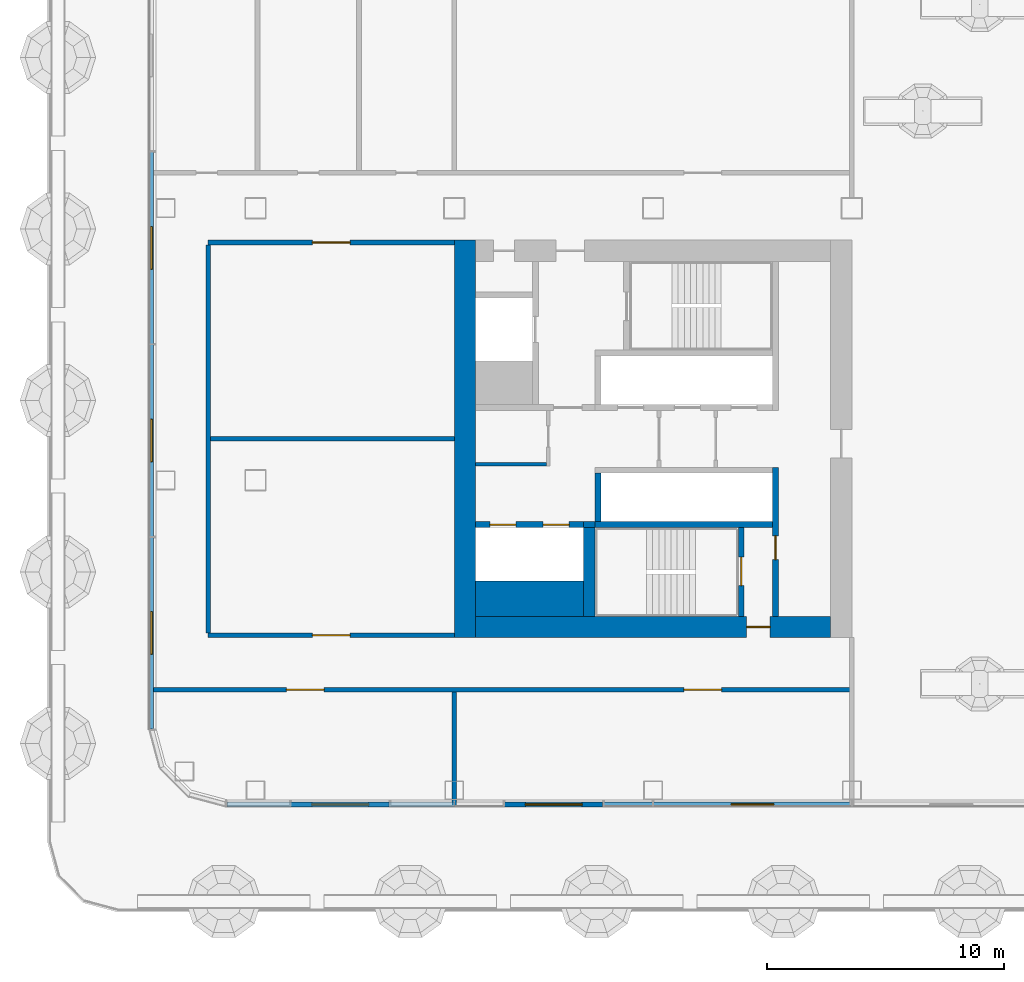
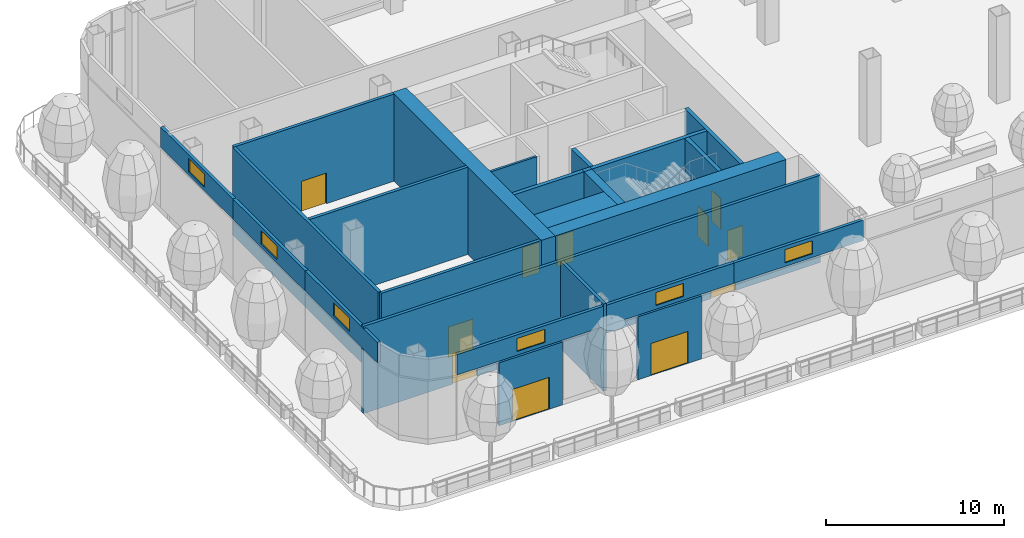
# One storey, part 12 of 44: 25 walls, 11 doors, 6 windows, 17 openings, 2 elements without a shape of their own.
"""IFC4 building model written with IfcOpenShell, lengths in metres."""

import ifcopenshell
import ifcopenshell.guid

model = None  # the IFC model being written
_history = None  # IfcOwnerHistory: only IFC2X3 demands one
_inside = {}  # id of a spatial element -> (the spatial element, [elements in it])
_under = {}  # id of a project, library or spatial element -> (it, [spatial elements below it])
_declared = {}  # id of a project -> (the project, [libraries it declares])
_typed = {}  # id of a type object -> (the type object, [elements of that type])
_made_of = {}  # id of a material, layer set ... -> (it, [elements and type objects made of it])


def new_model(schema):
    """Start an empty IFC model of exactly this schema.

    Asked for "IFC4X3", IfcOpenShell would pick the latest addendum, in which some entities
    have other attributes; the version numbers below select the first issue.
    IFC2X3 requires an IfcOwnerHistory on every rooted entity: one is made here for all.
    """
    global model, _history
    if schema == "IFC4X3":
        model = ifcopenshell.file(schema_version=(4, 3, 0, 0))
    else:
        model = ifcopenshell.file(schema=schema)
    _inside.clear()
    _under.clear()
    _declared.clear()
    _typed.clear()
    _made_of.clear()
    _history = None
    if model.schema == "IFC2X3":
        org = make("IfcOrganization", Name="unknown")
        user = make(
            "IfcPersonAndOrganization",
            ThePerson=make("IfcPerson", FamilyName="unknown"),
            TheOrganization=org,
        )
        app = make(
            "IfcApplication",
            ApplicationDeveloper=org,
            Version="unknown",
            ApplicationFullName="unknown",
            ApplicationIdentifier="unknown",
        )
        _history = make(
            "IfcOwnerHistory",
            OwningUser=user,
            OwningApplication=app,
            ChangeAction="ADDED",
            CreationDate=0,
        )
    return model


def make(cls, **values):
    """One entity of the class cls with the attributes given. An attribute that is None is left unset."""
    return model.create_entity(
        cls, **{name: value for name, value in values.items() if value is not None}
    )


def rooted(cls, **values):
    """An entity with a GlobalId (a new one), such as an element, a storey or a relation."""
    return make(cls, GlobalId=ifcopenshell.guid.new(), OwnerHistory=_history, **values)


def si_unit(unit_type, name, prefix=None):
    """IfcSIUnit, for example si_unit("LENGTHUNIT", "METRE", prefix="MILLI")."""
    return make("IfcSIUnit", UnitType=unit_type, Prefix=prefix, Name=name)


def assignment(units):
    """IfcUnitAssignment: the units of a project."""
    return None if units is None else make("IfcUnitAssignment", Units=units)


def point(xyz):
    """IfcCartesianPoint."""
    return None if xyz is None else make("IfcCartesianPoint", Coordinates=xyz)


def direction(xyz):
    """IfcDirection."""
    return None if xyz is None else make("IfcDirection", DirectionRatios=xyz)


def frame(location, z_axis=None, x_axis=None):
    """IfcAxis2Placement3D, a coordinate frame: its origin and axes. An axis left out is left unset."""
    return make(
        "IfcAxis2Placement3D",
        Location=point(location),
        Axis=direction(z_axis),
        RefDirection=direction(x_axis),
    )


def frame_2d(location, x_axis=None):
    """IfcAxis2Placement2D, a coordinate frame in the plane: its origin and x axis."""
    return make(
        "IfcAxis2Placement2D", Location=point(location), RefDirection=direction(x_axis)
    )


def origin():
    """The frame at (0, 0, 0) with its axes left unset."""
    return frame((0.0, 0.0, 0.0))


def place(relative_to, where):
    """IfcLocalPlacement: puts the frame where relative to a parent placement (None: the world)."""
    return make(
        "IfcLocalPlacement", PlacementRelTo=relative_to, RelativePlacement=where
    )


def context(
    kind, dimensions, precision=None, world=None, true_north=None, identifier=None
):
    """IfcGeometricRepresentationContext, for example the 3D "Model" context."""
    return make(
        "IfcGeometricRepresentationContext",
        ContextIdentifier=identifier,
        ContextType=kind,
        CoordinateSpaceDimension=dimensions,
        Precision=precision,
        WorldCoordinateSystem=world,
        TrueNorth=true_north,
    )


def subcontext(parent, identifier, kind, view, scale=None):
    """IfcGeometricRepresentationSubContext, for example "Body" below "Model"."""
    return make(
        "IfcGeometricRepresentationSubContext",
        ContextIdentifier=identifier,
        ContextType=kind,
        ParentContext=parent,
        TargetScale=scale,
        TargetView=view,
    )


def project(units=None, contexts=None):
    """IfcProject with its units and contexts."""
    return rooted(
        "IfcProject",
        Name="project",
        RepresentationContexts=contexts,
        UnitsInContext=assignment(units),
    )


def spatial(cls, under=None, at=None, **own):
    """A site, building, storey or space (cls), placed at a placement, below another one or the project."""
    s = rooted(cls, ObjectPlacement=at, **own)
    if under is not None:
        _under.setdefault(under.id(), (under, []))[1].append(s)
    return s


def profile(cls, at=None, kind="AREA", **sizes):
    """A parametric profile (cls). Its sizes go by their IFC names, for example OverallWidth=200.0."""
    return make(cls, ProfileType=kind, Position=at, **sizes)


def rectangle(**sizes):
    """IfcRectangleProfileDef."""
    return profile("IfcRectangleProfileDef", **sizes)


def extrude(swept, where, along, depth):
    """IfcExtrudedAreaSolid: the profile swept, set in the frame where, extruded along a direction by depth."""
    return make(
        "IfcExtrudedAreaSolid",
        SweptArea=swept,
        Position=where,
        ExtrudedDirection=direction(along),
        Depth=depth,
    )


def shape(context_of_items, identifier, shape_type, items):
    """IfcShapeRepresentation: the items that make up one representation, for example the "Body"."""
    return make(
        "IfcShapeRepresentation",
        ContextOfItems=context_of_items,
        RepresentationIdentifier=identifier,
        RepresentationType=shape_type,
        Items=items,
    )


def material(Name=None, Category=None):
    """IfcMaterial."""
    return make("IfcMaterial", Name=Name, Category=Category)


def layer(
    of_material, thickness, ventilated=None, Name=None, Category=None, Priority=None
):
    """IfcMaterialLayer: one layer of a wall or slab, of a material (None: an air gap)."""
    return make(
        "IfcMaterialLayer",
        Material=of_material,
        LayerThickness=thickness,
        IsVentilated=ventilated,
        Name=Name,
        Category=Category,
        Priority=Priority,
    )


def layer_set(layers, Name=None):
    """IfcMaterialLayerSet."""
    return make("IfcMaterialLayerSet", MaterialLayers=layers, LayerSetName=Name)


def made_of(thing, what):
    """Note that an element or type object is made of a material, layer set ...; save() writes the relation."""
    if what is not None:
        _made_of.setdefault(what.id(), (what, []))[1].append(thing)
    return thing


def type_object(cls, material=None, **own):
    """A type object (cls), such as IfcWallType, which elements share."""
    return made_of(rooted(cls, **own), material)


def element(
    cls,
    number,
    at=None,
    inside=None,
    cuts=None,
    type_object=None,
    material=None,
    context=None,
    identifier="Body",
    shape_type=None,
    held_by="IfcProductDefinitionShape",
    body=None,
    shapes=None,
    **own,
):
    """One element of the class cls, such as IfcWall. Its Tag is "e" and its number.

    at: its placement. inside: the storey or other place that contains it. cuts: it is an
    opening in that element (IfcRelVoidsElement). A single representation is given by context,
    identifier, shape_type and body (its items); several are given by shapes. held_by: the class
    of the entity that holds the representations. save() writes the other relations.
    """
    e = rooted(cls, Tag="e%d" % number, ObjectPlacement=at, **own)
    if body is not None:
        shapes = [shape(context, identifier, shape_type, body)]
    if shapes is not None:
        e.Representation = make(held_by, Representations=shapes)
    if inside is not None:
        _inside.setdefault(inside.id(), (inside, []))[1].append(e)
    if cuts is not None:
        rooted(
            "IfcRelVoidsElement", RelatingBuildingElement=cuts, RelatedOpeningElement=e
        )
    if type_object is not None:
        _typed.setdefault(type_object.id(), (type_object, []))[1].append(e)
    return made_of(e, material)


def fill(opening, filler):
    """IfcRelFillsElement: the door or window that sits in an opening."""
    return rooted(
        "IfcRelFillsElement",
        RelatingOpeningElement=opening,
        RelatedBuildingElement=filler,
    )


def aggregate(whole, parts):
    """IfcRelAggregates: a whole, such as a stair, and the parts it consists of."""
    return rooted("IfcRelAggregates", RelatingObject=whole, RelatedObjects=parts)


def save(model, path):
    """Write the relations noted so far, then the file.

    IfcRelAggregates (storeys below a building ...), IfcRelContainedInSpatialStructure (elements
    in a storey), IfcRelDefinesByType, IfcRelAssociatesMaterial and IfcRelDeclares: one each for
    every whole, place, type object, material and project.
    """
    for whole, parts in _under.values():
        aggregate(whole, parts)
    for where, things in _inside.values():
        rooted(
            "IfcRelContainedInSpatialStructure",
            RelatedElements=things,
            RelatingStructure=where,
        )
    for kind, things in _typed.values():
        rooted("IfcRelDefinesByType", RelatedObjects=things, RelatingType=kind)
    for what, things in _made_of.values():
        rooted("IfcRelAssociatesMaterial", RelatedObjects=things, RelatingMaterial=what)
    for by, libraries in _declared.values():
        rooted("IfcRelDeclares", RelatingContext=by, RelatedDefinitions=libraries)
    model.write(path)


model = new_model("IFC4")

# Units and contexts
model_context = context("Model", 3, precision=1e-05, world=origin(), true_north=direction((0.0, 1.0)))
body_context = subcontext(model_context, "Body", "Model", "MODEL_VIEW")
ifc_project = project(units=[si_unit("LENGTHUNIT", "METRE"), si_unit("AREAUNIT", "SQUARE_METRE"), si_unit("VOLUMEUNIT", "CUBIC_METRE"), si_unit("PLANEANGLEUNIT", "RADIAN"), si_unit("MASSUNIT", "GRAM", prefix="KILO")], contexts=[model_context])

# Site, building, storey
site_placement = place(None, origin())
site = spatial("IfcSite", under=ifc_project, at=site_placement, CompositionType="ELEMENT")
building_placement = place(site_placement, origin())
building = spatial("IfcBuilding", under=site, at=building_placement, Name="Hakoniwa Tower and Hamabe Station Hall", CompositionType="ELEMENT")
storey_placement = place(building_placement, frame((0.0, 0.0, 69.0)))
storey = spatial("IfcBuildingStorey", under=building, at=storey_placement, Name="L19", CompositionType="ELEMENT", Elevation=69.0)

# Walls
ifc_material_1 = material(Name="Gypsum board partition")
ifc_layer_1 = layer(ifc_material_1, 0.14990234375)
ifc_layer_set_1 = layer_set([ifc_layer_1], Name="CORE PARTITION 150 EI 60")
wall_type_1 = type_object("IfcWallType", Name="CORE PARTITION 150 EI 60", PredefinedType="PARTITIONING", material=ifc_layer_set_1)
wall_1_placement = place(storey_placement, frame((-32.699951171875, -1.074951171875, 0.0), z_axis=(0.0, 0.0, 1.0), x_axis=(1.0, 0.0, 0.0)))
element("IfcWall", 1, at=wall_1_placement, inside=storey, type_object=wall_type_1, Name="Core partition PS west", PredefinedType="PARTITIONING", context=body_context, shape_type="SweptSolid", body=[
    extrude(rectangle(XDim=3.0, YDim=0.14990234375, at=frame_2d((1.5, 0.0))), origin(), (0.0, 0.0, 1.0), 6.0),
])
ifc_material_2 = material(Name="Concrete C72", Category="concrete")
ifc_layer_2 = layer(ifc_material_2, 0.89990234375)
ifc_layer_set_2 = layer_set([ifc_layer_2], Name="CORE WALL 900 C72")
wall_type_2 = type_object("IfcWallType", Name="CORE WALL 900 C72", PredefinedType="SHEAR", material=ifc_layer_set_2)
wall_2_placement = place(storey_placement, frame((-33.14990234375, -8.39990234375, 0.0), z_axis=(0.0, 0.0, 1.0), x_axis=(0.0, 1.0, 0.0)))
element("IfcWall", 2, at=wall_2_placement, inside=storey, type_object=wall_type_2, Name="Core wall OUTER west", PredefinedType="SHEAR", context=body_context, shape_type="SweptSolid", body=[
    extrude(rectangle(XDim=16.7998046875, YDim=0.89990234375, at=frame_2d((8.39990234375, 0.0))), origin(), (0.0, 0.0, 1.0), 6.0),
])

# Wall, opening, door
wall_3_placement = place(storey_placement, frame((-32.699951171875, -7.949951171875, 0.0), z_axis=(0.0, 0.0, 1.0), x_axis=(1.0, 0.0, 0.0)))
wall_3 = element("IfcWall", 3, at=wall_3_placement, inside=storey, type_object=wall_type_2, Name="Core wall SOUTH west", PredefinedType="SHEAR", context=body_context, shape_type="SweptSolid", body=[
    extrude(rectangle(XDim=15.0, YDim=0.89990234375, at=frame_2d((7.5, 0.0))), origin(), (0.0, 0.0, 1.0), 6.0),
])
opening_1_placement = place(wall_3_placement, frame((11.449951171875, 0.0, 0.0)))
opening_1 = element("IfcOpeningElement", 4, at=opening_1_placement, cuts=wall_3, Name="Opening CD-W-FS3-10", PredefinedType="OPENING", context=body_context, shape_type="SweptSolid", body=[
    extrude(rectangle(XDim=1.0, YDim=2.10009765625, at=frame_2d((0.5, 1.050048828125))), frame((0.0, 0.4599609375, 0.0), z_axis=(0.0, -1.0, 0.0), x_axis=(1.0, 0.0, 0.0)), (0.0, 0.0, 1.0), 0.919921875),
])
ifc_material_3 = material(Name="Steel fire door", Category="steel")
door_type_1 = type_object("IfcDoorType", Name="CORE DOOR 1000 FD60", OperationType="NOTDEFINED", PredefinedType="DOOR", material=ifc_material_3)
door_1_placement = place(opening_1_placement, origin())
door_1 = element("IfcDoor", 5, at=door_1_placement, inside=storey, type_object=door_type_1, Name="Stair vestibule door", OperationType="SINGLE_SWING_LEFT", OverallHeight=2.10009765625, OverallWidth=1.0, PredefinedType="DOOR", context=body_context, shape_type="SweptSolid", body=[
    extrude(rectangle(XDim=1.0, YDim=2.10009765625, at=frame_2d((0.5, 1.050048828125))), frame((0.0, 0.02490234375, 0.0), z_axis=(0.0, -1.0, 0.0), x_axis=(1.0, 0.0, 0.0)), (0.0, 0.0, 1.0), 0.050048828125),
])
fill(opening_1, door_1)

# Wall
ifc_material_4 = material(Name="Concrete C72", Category="concrete")
ifc_layer_3 = layer(ifc_material_4, 1.5)
ifc_layer_set_3 = layer_set([ifc_layer_3], Name="CORE WEB WALL 1500 C72")
wall_type_3 = type_object("IfcWallType", Name="CORE WEB WALL 1500 C72", PredefinedType="SHEAR", material=ifc_layer_set_3)
wall_4_placement = place(storey_placement, frame((-32.699951171875, -6.75, 0.0), z_axis=(0.0, 0.0, 1.0), x_axis=(1.0, 0.0, 0.0)))
element("IfcWall", 6, at=wall_4_placement, inside=storey, type_object=wall_type_3, Name="Core wall SER west", PredefinedType="SHEAR", context=body_context, shape_type="SweptSolid", body=[
    extrude(rectangle(XDim=4.550048828125, YDim=1.5, at=frame_2d((2.27490234375, 0.0))), origin(), (0.0, 0.0, 1.0), 6.0),
])

# Wall, opening, door
ifc_material_5 = material(Name="Concrete C72", Category="concrete")
ifc_layer_4 = layer(ifc_material_5, 0.25)
ifc_layer_set_4 = layer_set([ifc_layer_4], Name="CORE WEB WALL 250 C72")
wall_type_4 = type_object("IfcWallType", Name="CORE WEB WALL 250 C72", PredefinedType="SHEAR", material=ifc_layer_set_4)
wall_5_placement = place(storey_placement, frame((-20.02490234375, -7.5, 0.0), z_axis=(0.0, 0.0, 1.0), x_axis=(0.0, 1.0, 0.0)))
wall_5 = element("IfcWall", 7, at=wall_5_placement, inside=storey, type_object=wall_type_4, Name="Core wall W1S west", PredefinedType="SHEAR", context=body_context, shape_type="SweptSolid", body=[
    extrude(rectangle(XDim=6.300048828125, YDim=0.25, at=frame_2d((3.14990234375, 0.0))), origin(), (0.0, 0.0, 1.0), 6.0),
])
opening_2_placement = place(wall_5_placement, frame((2.39990234375, 0.0, 0.0)))
opening_2 = element("IfcOpeningElement", 8, at=opening_2_placement, cuts=wall_5, Name="Opening CD-W-VS-10", PredefinedType="OPENING", context=body_context, shape_type="SweptSolid", body=[
    extrude(rectangle(XDim=1.0, YDim=2.10009765625, at=frame_2d((0.5, 1.050048828125))), frame((0.0, 0.135009765625, 0.0), z_axis=(0.0, -1.0, 0.0), x_axis=(1.0, 0.0, 0.0)), (0.0, 0.0, 1.0), 0.27001953125),
])
door_2_placement = place(opening_2_placement, origin())
door_2 = element("IfcDoor", 9, at=door_2_placement, inside=storey, type_object=door_type_1, Name="Stair vestibule door", OperationType="SINGLE_SWING_LEFT", OverallHeight=2.10009765625, OverallWidth=1.0, PredefinedType="DOOR", context=body_context, shape_type="SweptSolid", body=[
    extrude(rectangle(XDim=1.0, YDim=2.10009765625, at=frame_2d((0.5, 1.050048828125))), frame((0.0, 0.02490234375, 0.0), z_axis=(0.0, -1.0, 0.0), x_axis=(1.0, 0.0, 0.0)), (0.0, 0.0, 1.0), 0.050048828125),
])
fill(opening_2, door_2)

# Walls
wall_6_placement = place(storey_placement, frame((-27.52490234375, -3.5, 0.0), z_axis=(0.0, 0.0, 1.0), x_axis=(0.0, 1.0, 0.0)))
element("IfcWall", 10, at=wall_6_placement, inside=storey, type_object=wall_type_4, Name="Core wall SE west", PredefinedType="SHEAR", context=body_context, shape_type="SweptSolid", body=[
    extrude(rectangle(XDim=2.050048828125, YDim=0.25, at=frame_2d((1.02490234375, 0.0))), origin(), (0.0, 0.0, 1.0), 6.0),
])
wall_7_placement = place(storey_placement, frame((-27.64990234375, -3.625, 0.0), z_axis=(0.0, 0.0, 1.0), x_axis=(1.0, 0.0, 0.0)))
element("IfcWall", 11, at=wall_7_placement, inside=storey, type_object=wall_type_4, Name="Core wall SR west", PredefinedType="SHEAR", context=body_context, shape_type="SweptSolid", body=[
    extrude(rectangle(XDim=7.5, YDim=0.25, at=frame_2d((3.75, 0.0))), origin(), (0.0, 0.0, 1.0), 6.0),
])

# Wall, opening, door
wall_8_placement = place(storey_placement, frame((-21.47509765625, -7.5, 0.0), z_axis=(0.0, 0.0, 1.0), x_axis=(0.0, 1.0, 0.0)))
wall_8 = element("IfcWall", 12, at=wall_8_placement, inside=storey, type_object=wall_type_4, Name="Core wall VE west", PredefinedType="SHEAR", context=body_context, shape_type="SweptSolid", body=[
    extrude(rectangle(XDim=3.75, YDim=0.25, at=frame_2d((1.875, 0.0))), origin(), (0.0, 0.0, 1.0), 6.0),
])
opening_3_placement = place(wall_8_placement, frame((1.300048828125, 0.0, 0.0)))
opening_3 = element("IfcOpeningElement", 13, at=opening_3_placement, cuts=wall_8, Name="Opening CD-W-SS-12", PredefinedType="OPENING", context=body_context, shape_type="SweptSolid", body=[
    extrude(rectangle(XDim=1.199951171875, YDim=2.10009765625, at=frame_2d((0.60009765625, 1.050048828125))), frame((0.0, 0.135009765625, 0.0), z_axis=(0.0, -1.0, 0.0), x_axis=(1.0, 0.0, 0.0)), (0.0, 0.0, 1.0), 0.27001953125),
])
ifc_material_6 = material(Name="Steel fire door", Category="steel")
door_type_2 = type_object("IfcDoorType", Name="CORE DOOR 1200 FD60", OperationType="DOUBLE_DOOR_SINGLE_SWING", PredefinedType="DOOR", material=ifc_material_6)
door_3_placement = place(opening_3_placement, origin())
door_3 = element("IfcDoor", 14, at=door_3_placement, inside=storey, type_object=door_type_2, Name="Escape stair door", OperationType="DOUBLE_DOOR_SINGLE_SWING", OverallHeight=2.10009765625, OverallWidth=1.199951171875, PredefinedType="DOOR", context=body_context, shape_type="SweptSolid", body=[
    extrude(rectangle(XDim=1.199951171875, YDim=2.10009765625, at=frame_2d((0.60009765625, 1.050048828125))), frame((0.0, 0.02490234375, 0.0), z_axis=(0.0, -1.0, 0.0), x_axis=(1.0, 0.0, 0.0)), (0.0, 0.0, 1.0), 0.050048828125),
])
fill(opening_3, door_3)

# Wall, openings, doors
wall_9_placement = place(storey_placement, frame((-32.699951171875, -3.625, 0.0), z_axis=(0.0, 0.0, 1.0), x_axis=(1.0, 0.0, 0.0)))
wall_9 = element("IfcWall", 15, at=wall_9_placement, inside=storey, type_object=wall_type_4, Name="Core wall SEF west", PredefinedType="SHEAR", context=body_context, shape_type="SweptSolid", body=[
    extrude(rectangle(XDim=4.550048828125, YDim=0.25, at=frame_2d((2.27490234375, 0.0))), origin(), (0.0, 0.0, 1.0), 6.0),
])
opening_4_placement = place(wall_9_placement, frame((2.85009765625, 0.0, 0.0)))
opening_4 = element("IfcOpeningElement", 16, at=opening_4_placement, cuts=wall_9, Name="Opening LD-SV1", PredefinedType="OPENING", context=body_context, shape_type="SweptSolid", body=[
    extrude(rectangle(XDim=1.10009765625, YDim=2.10009765625, at=frame_2d((0.550048828125, 1.050048828125))), frame((0.0, 0.135009765625, 0.0), z_axis=(0.0, -1.0, 0.0), x_axis=(1.0, 0.0, 0.0)), (0.0, 0.0, 1.0), 0.27001953125),
])
opening_5_placement = place(wall_9_placement, frame((0.60009765625, 0.0, 0.0)))
opening_5 = element("IfcOpeningElement", 17, at=opening_5_placement, cuts=wall_9, Name="Opening LD-SV2", PredefinedType="OPENING", context=body_context, shape_type="SweptSolid", body=[
    extrude(rectangle(XDim=1.10009765625, YDim=2.10009765625, at=frame_2d((0.550048828125, 1.050048828125))), frame((0.0, 0.135009765625, 0.0), z_axis=(0.0, -1.0, 0.0), x_axis=(1.0, 0.0, 0.0)), (0.0, 0.0, 1.0), 0.27001953125),
])
ifc_material_7 = material(Name="Stainless steel SUS304", Category="steel")
door_type_3 = type_object("IfcDoorType", Name="LIFT LANDING DOOR 1100 FD60", OperationType="DOUBLE_DOOR_SLIDING", PredefinedType="DOOR", material=ifc_material_7)
door_4_placement = place(opening_4_placement, origin())
door_4 = element("IfcDoor", 18, at=door_4_placement, inside=storey, type_object=door_type_3, Name="Lift landing door SV1 L19", OperationType="DOUBLE_DOOR_SLIDING", OverallHeight=2.10009765625, OverallWidth=1.10009765625, PredefinedType="DOOR", context=body_context, shape_type="SweptSolid", body=[
    extrude(rectangle(XDim=1.10009765625, YDim=2.10009765625, at=frame_2d((0.550048828125, 1.050048828125))), frame((0.0, 0.02490234375, 0.0), z_axis=(0.0, -1.0, 0.0), x_axis=(1.0, 0.0, 0.0)), (0.0, 0.0, 1.0), 0.050048828125),
])
fill(opening_4, door_4)
door_5_placement = place(opening_5_placement, origin())
door_5 = element("IfcDoor", 19, at=door_5_placement, inside=storey, type_object=door_type_3, Name="Lift landing door SV2 L19", OperationType="DOUBLE_DOOR_SLIDING", OverallHeight=2.10009765625, OverallWidth=1.10009765625, PredefinedType="DOOR", context=body_context, shape_type="SweptSolid", body=[
    extrude(rectangle(XDim=1.10009765625, YDim=2.10009765625, at=frame_2d((0.550048828125, 1.050048828125))), frame((0.0, 0.02490234375, 0.0), z_axis=(0.0, -1.0, 0.0), x_axis=(1.0, 0.0, 0.0)), (0.0, 0.0, 1.0), 0.050048828125),
])
fill(opening_5, door_5)

# Walls
wall_10_placement = place(storey_placement, frame((-28.14990234375, -3.625, 0.0), z_axis=(0.0, 0.0, 1.0), x_axis=(1.0, 0.0, 0.0)))
element("IfcWall", 20, at=wall_10_placement, inside=storey, type_object=wall_type_4, Name="Core wall SRK west", PredefinedType="SHEAR", context=body_context, shape_type="SweptSolid", body=[
    extrude(rectangle(XDim=0.5, YDim=0.25, at=frame_2d((0.25, 0.0))), origin(), (0.0, 0.0, 1.0), 6.0),
])
ifc_material_8 = material(Name="Concrete C72", Category="concrete")
ifc_layer_5 = layer(ifc_material_8, 0.5)
ifc_layer_set_5 = layer_set([ifc_layer_5], Name="CORE WEB WALL 500 C72")
wall_type_5 = type_object("IfcWallType", Name="CORE WEB WALL 500 C72", PredefinedType="SHEAR", material=ifc_layer_set_5)
wall_11_placement = place(storey_placement, frame((-27.89990234375, -7.5, 0.0), z_axis=(0.0, 0.0, 1.0), x_axis=(0.0, 1.0, 0.0)))
element("IfcWall", 21, at=wall_11_placement, inside=storey, type_object=wall_type_5, Name="Core wall SSE west", PredefinedType="SHEAR", context=body_context, shape_type="SweptSolid", body=[
    extrude(rectangle(XDim=3.75, YDim=0.5, at=frame_2d((1.875, 0.0))), origin(), (0.0, 0.0, 1.0), 6.0),
])

# Wall, openings, doors
ifc_material_9 = material(Name="Fire-rated gypsum board partition", Category="gypsum")
ifc_layer_6 = layer(ifc_material_9, 0.199951171875)
ifc_layer_set_6 = layer_set([ifc_layer_6], Name="Corridor Wall 200")
wall_type_6 = type_object("IfcWallType", Name="Corridor Wall 200", PredefinedType="PARTITIONING", material=ifc_layer_set_6)
wall_12_placement = place(storey_placement, frame((-46.5, -10.60009765625, 0.0), z_axis=(0.0, 0.0, 1.0), x_axis=(1.0, 0.0, 0.0)))
wall_12 = element("IfcWall", 22, at=wall_12_placement, inside=storey, type_object=wall_type_6, Name="GW-L19-001", PredefinedType="PARTITIONING", context=body_context, shape_type="SweptSolid", body=[
    extrude(rectangle(XDim=29.699951171875, YDim=0.199951171875, at=frame_2d((14.85009765625, 0.0))), origin(), (0.0, 0.0, 1.0), 6.0),
])
opening_6_placement = place(wall_12_placement, frame((5.800048828125, 0.0, 0.0)))
opening_6 = element("IfcOpeningElement", 23, at=opening_6_placement, cuts=wall_12, Name="Opening GD-SL19-01", PredefinedType="OPENING", context=body_context, shape_type="SweptSolid", body=[
    extrude(rectangle(XDim=1.60009765625, YDim=2.10009765625, at=frame_2d((0.800048828125, 1.050048828125))), frame((0.0, 0.10986328125, 0.0), z_axis=(0.0, -1.0, 0.0), x_axis=(1.0, 0.0, 0.0)), (0.0, 0.0, 1.0), 0.219970703125),
])
opening_7_placement = place(wall_12_placement, frame((22.60009765625, 0.0, 0.0)))
opening_7 = element("IfcOpeningElement", 24, at=opening_7_placement, cuts=wall_12, Name="Opening GD-SL19-02", PredefinedType="OPENING", context=body_context, shape_type="SweptSolid", body=[
    extrude(rectangle(XDim=1.60009765625, YDim=2.10009765625, at=frame_2d((0.800048828125, 1.050048828125))), frame((0.0, 0.10986328125, 0.0), z_axis=(0.0, -1.0, 0.0), x_axis=(1.0, 0.0, 0.0)), (0.0, 0.0, 1.0), 0.219970703125),
])
ifc_material_10 = material(Name="Timber door leaf", Category="wood")
door_type_4 = type_object("IfcDoorType", Name="Double Door 1600", OperationType="DOUBLE_DOOR_SINGLE_SWING", PredefinedType="DOOR", material=ifc_material_10)
door_6_placement = place(opening_6_placement, origin())
door_6 = element("IfcDoor", 25, at=door_6_placement, inside=storey, type_object=door_type_4, Name="Door GD-SL19-01", OperationType="DOUBLE_DOOR_SINGLE_SWING", OverallHeight=2.10009765625, OverallWidth=1.60009765625, PredefinedType="DOOR", context=body_context, shape_type="SweptSolid", body=[
    extrude(rectangle(XDim=1.60009765625, YDim=2.10009765625, at=frame_2d((0.800048828125, 1.050048828125))), frame((0.0, 0.02490234375, 0.0), z_axis=(0.0, -1.0, 0.0), x_axis=(1.0, 0.0, 0.0)), (0.0, 0.0, 1.0), 0.050048828125),
])
fill(opening_6, door_6)
door_7_placement = place(opening_7_placement, origin())
door_7 = element("IfcDoor", 26, at=door_7_placement, inside=storey, type_object=door_type_4, Name="Door GD-SL19-02", OperationType="DOUBLE_DOOR_SINGLE_SWING", OverallHeight=2.10009765625, OverallWidth=1.60009765625, PredefinedType="DOOR", context=body_context, shape_type="SweptSolid", body=[
    extrude(rectangle(XDim=1.60009765625, YDim=2.10009765625, at=frame_2d((0.800048828125, 1.050048828125))), frame((0.0, 0.02490234375, 0.0), z_axis=(0.0, -1.0, 0.0), x_axis=(1.0, 0.0, 0.0)), (0.0, 0.0, 1.0), 0.050048828125),
])
fill(opening_7, door_7)

# Wall, opening, door
wall_13_placement = place(storey_placement, frame((-44.0, -8.300048828125, 0.0), z_axis=(0.0, 0.0, 1.0), x_axis=(1.0, 0.0, 0.0)))
wall_13 = element("IfcWall", 27, at=wall_13_placement, inside=storey, type_object=wall_type_6, Name="GW-L19-003", PredefinedType="PARTITIONING", context=body_context, shape_type="SweptSolid", body=[
    extrude(rectangle(XDim=10.39990234375, YDim=0.199951171875, at=frame_2d((5.199951171875, 0.0))), origin(), (0.0, 0.0, 1.0), 6.0),
])
opening_8_placement = place(wall_13_placement, frame((4.39990234375, 0.0, 0.0)))
opening_8 = element("IfcOpeningElement", 28, at=opening_8_placement, cuts=wall_13, Name="Opening GD-SL19-05", PredefinedType="OPENING", context=body_context, shape_type="SweptSolid", body=[
    extrude(rectangle(XDim=1.60009765625, YDim=2.10009765625, at=frame_2d((0.800048828125, 1.050048828125))), frame((0.0, 0.10986328125, 0.0), z_axis=(0.0, -1.0, 0.0), x_axis=(1.0, 0.0, 0.0)), (0.0, 0.0, 1.0), 0.219970703125),
])
door_8_placement = place(opening_8_placement, origin())
door_8 = element("IfcDoor", 29, at=door_8_placement, inside=storey, type_object=door_type_4, Name="Door GD-SL19-05", OperationType="DOUBLE_DOOR_SINGLE_SWING", OverallHeight=2.10009765625, OverallWidth=1.60009765625, PredefinedType="DOOR", context=body_context, shape_type="SweptSolid", body=[
    extrude(rectangle(XDim=1.60009765625, YDim=2.10009765625, at=frame_2d((0.800048828125, 1.050048828125))), frame((0.0, 0.02490234375, 0.0), z_axis=(0.0, -1.0, 0.0), x_axis=(1.0, 0.0, 0.0)), (0.0, 0.0, 1.0), 0.050048828125),
])
fill(opening_8, door_8)

wall_14_placement = place(storey_placement, frame((-44.0, 8.300048828125, 0.0), z_axis=(0.0, 0.0, 1.0), x_axis=(1.0, 0.0, 0.0)))
wall_14 = element("IfcWall", 30, at=wall_14_placement, inside=storey, type_object=wall_type_6, Name="GW-L19-009", PredefinedType="PARTITIONING", context=body_context, shape_type="SweptSolid", body=[
    extrude(rectangle(XDim=10.39990234375, YDim=0.199951171875, at=frame_2d((5.199951171875, 0.0))), origin(), (0.0, 0.0, 1.0), 6.0),
])
opening_9_placement = place(wall_14_placement, frame((4.39990234375, 0.0, 0.0)))
opening_9 = element("IfcOpeningElement", 31, at=opening_9_placement, cuts=wall_14, Name="Opening GD-SL19-07", PredefinedType="OPENING", context=body_context, shape_type="SweptSolid", body=[
    extrude(rectangle(XDim=1.60009765625, YDim=2.10009765625, at=frame_2d((0.800048828125, 1.050048828125))), frame((0.0, 0.10986328125, 0.0), z_axis=(0.0, -1.0, 0.0), x_axis=(1.0, 0.0, 0.0)), (0.0, 0.0, 1.0), 0.219970703125),
])
door_9_placement = place(opening_9_placement, origin())
door_9 = element("IfcDoor", 32, at=door_9_placement, inside=storey, type_object=door_type_4, Name="Door GD-SL19-07", OperationType="DOUBLE_DOOR_SINGLE_SWING", OverallHeight=2.10009765625, OverallWidth=1.60009765625, PredefinedType="DOOR", context=body_context, shape_type="SweptSolid", body=[
    extrude(rectangle(XDim=1.60009765625, YDim=2.10009765625, at=frame_2d((0.800048828125, 1.050048828125))), frame((0.0, 0.02490234375, 0.0), z_axis=(0.0, -1.0, 0.0), x_axis=(1.0, 0.0, 0.0)), (0.0, 0.0, 1.0), 0.050048828125),
])
fill(opening_9, door_9)

# Curtain wall, walls, openings, doors
ifc_material_11 = material(Name="Dark low-e laminated glass", Category="glass")
ifc_layer_7 = layer(ifc_material_11, 0.199951171875)
ifc_layer_set_7 = layer_set([ifc_layer_7], Name="CW-2 SKY GARDEN")
curtain_wall_type = type_object("IfcCurtainWallType", Name="CW-2 SKY GARDEN", PredefinedType="NOTDEFINED", material=ifc_layer_set_7)
curtain_wall_1_placement = place(storey_placement, origin())
curtain_wall_1 = element("IfcCurtainWall", 33, at=curtain_wall_1_placement, inside=storey, type_object=curtain_wall_type, Name="CW-2 curtain wall", PredefinedType="NOTDEFINED")
ifc_material_12 = material(Name="Dark glass-faced aluminium panel", Category="aluminium")
ifc_layer_8 = layer(ifc_material_12, 0.199951171875)
ifc_layer_set_8 = layer_set([ifc_layer_8], Name="DOOR BAY WALL")
wall_type_7 = type_object("IfcWallType", Name="DOOR BAY WALL", PredefinedType="NOTDEFINED", material=ifc_layer_set_8)
wall_15_placement = place(storey_placement, frame((-40.48974609375, -15.449951171875, 0.0), z_axis=(0.0, 0.0, 1.0), x_axis=(1.0, 0.0, 0.0)))
wall_15 = element("IfcWall", 34, at=wall_15_placement, type_object=wall_type_7, Name="Door bay wall", PredefinedType="NOTDEFINED", context=body_context, shape_type="SweptSolid", body=[
    extrude(rectangle(XDim=4.139892578125, YDim=0.199951171875, at=frame_2d((2.06982421875, 0.0))), origin(), (0.0, 0.0, 1.0), 4.330078125),
])
opening_10_placement = place(wall_15_placement, frame((0.8701171875, 0.0, 0.0)))
opening_10 = element("IfcOpeningElement", 35, at=opening_10_placement, cuts=wall_15, Name="Opening TD-S07-T4", PredefinedType="OPENING", context=body_context, shape_type="SweptSolid", body=[
    extrude(rectangle(XDim=2.39990234375, YDim=2.199951171875, at=frame_2d((1.199951171875, 1.10009765625))), frame((0.0, 0.10986328125, 0.0), z_axis=(0.0, -1.0, 0.0), x_axis=(1.0, 0.0, 0.0)), (0.0, 0.0, 1.0), 0.219970703125),
])
ifc_material_13 = material(Name="Dark low-e laminated glass", Category="glass")
door_type_5 = type_object("IfcDoorType", Name="BALCONY SLIDING DOOR 2400X2200", OperationType="SLIDING_TO_LEFT", PredefinedType="DOOR", material=ifc_material_13)
door_10_placement = place(opening_10_placement, frame((2.39990234375, 0.0, 0.0), z_axis=(0.0, 0.0, 1.0), x_axis=(-1.0, 0.0, 0.0)))
door_10 = element("IfcDoor", 36, at=door_10_placement, inside=storey, type_object=door_type_5, Name="Balcony sliding door", OperationType="SLIDING_TO_LEFT", OverallHeight=2.199951171875, OverallWidth=2.39990234375, PredefinedType="DOOR", context=body_context, shape_type="SweptSolid", body=[
    extrude(rectangle(XDim=2.39990234375, YDim=2.199951171875, at=frame_2d((1.199951171875, 1.10009765625))), frame((0.0, 0.02490234375, 0.0), z_axis=(0.0, -1.0, 0.0), x_axis=(1.0, 0.0, 0.0)), (0.0, 0.0, 1.0), 0.050048828125),
])
fill(opening_10, door_10)
wall_16_placement = place(storey_placement, frame((-31.469970703125, -15.449951171875, 0.0), z_axis=(0.0, 0.0, 1.0), x_axis=(1.0, 0.0, 0.0)))
wall_16 = element("IfcWall", 37, at=wall_16_placement, type_object=wall_type_7, Name="Door bay wall", PredefinedType="NOTDEFINED", context=body_context, shape_type="SweptSolid", body=[
    extrude(rectangle(XDim=4.139892578125, YDim=0.199951171875, at=frame_2d((2.06982421875, 0.0))), origin(), (0.0, 0.0, 1.0), 4.330078125),
])
opening_11_placement = place(wall_16_placement, frame((0.8701171875, 0.0, 0.0)))
opening_11 = element("IfcOpeningElement", 38, at=opening_11_placement, cuts=wall_16, Name="Opening TD-S07-T3", PredefinedType="OPENING", context=body_context, shape_type="SweptSolid", body=[
    extrude(rectangle(XDim=2.39990234375, YDim=2.199951171875, at=frame_2d((1.199951171875, 1.10009765625))), frame((0.0, 0.10986328125, 0.0), z_axis=(0.0, -1.0, 0.0), x_axis=(1.0, 0.0, 0.0)), (0.0, 0.0, 1.0), 0.219970703125),
])
door_11_placement = place(opening_11_placement, frame((2.39990234375, 0.0, 0.0), z_axis=(0.0, 0.0, 1.0), x_axis=(-1.0, 0.0, 0.0)))
door_11 = element("IfcDoor", 39, at=door_11_placement, inside=storey, type_object=door_type_5, Name="Balcony sliding door", OperationType="SLIDING_TO_LEFT", OverallHeight=2.199951171875, OverallWidth=2.39990234375, PredefinedType="DOOR", context=body_context, shape_type="SweptSolid", body=[
    extrude(rectangle(XDim=2.39990234375, YDim=2.199951171875, at=frame_2d((1.199951171875, 1.10009765625))), frame((0.0, 0.02490234375, 0.0), z_axis=(0.0, -1.0, 0.0), x_axis=(1.0, 0.0, 0.0)), (0.0, 0.0, 1.0), 0.050048828125),
])
fill(opening_11, door_11)

# Walls
ifc_material_14 = material(Name="Fire-rated gypsum board partition", Category="gypsum")
ifc_layer_9 = layer(ifc_material_14, 0.199951171875)
ifc_layer_set_9 = layer_set([ifc_layer_9], Name="Party Wall 200")
wall_type_8 = type_object("IfcWallType", Name="Party Wall 200", PredefinedType="PARTITIONING", material=ifc_layer_set_9)
wall_17_placement = place(storey_placement, frame((-43.89990234375, 0.0, 0.0), z_axis=(0.0, 0.0, 1.0), x_axis=(1.0, 0.0, 0.0)))
element("IfcWall", 40, at=wall_17_placement, inside=storey, type_object=wall_type_8, Name="GW-L19-006", PredefinedType="PARTITIONING", context=body_context, shape_type="SweptSolid", body=[
    extrude(rectangle(XDim=10.2998046875, YDim=0.199951171875, at=frame_2d((5.14990234375, 0.0))), origin(), (0.0, 0.0, 1.0), 6.0),
])
wall_18_placement = place(storey_placement, frame((-44.0, -8.199951171875, 0.0), z_axis=(0.0, 0.0, 1.0), x_axis=(0.0, 1.0, 0.0)))
element("IfcWall", 41, at=wall_18_placement, inside=storey, type_object=wall_type_8, Name="GW-L19-013", PredefinedType="PARTITIONING", context=body_context, shape_type="SweptSolid", body=[
    extrude(rectangle(XDim=16.39990234375, YDim=0.199951171875, at=frame_2d((8.199951171875, 0.0))), origin(), (0.0, 0.0, 1.0), 6.0),
])
wall_19_placement = place(storey_placement, frame((-33.60009765625, -15.550048828125, 0.0), z_axis=(0.0, 0.0, 1.0), x_axis=(0.0, 1.0, 0.0)))
element("IfcWall", 42, at=wall_19_placement, inside=storey, type_object=wall_type_8, Name="GW-L19-016", PredefinedType="PARTITIONING", context=body_context, shape_type="SweptSolid", body=[
    extrude(rectangle(XDim=4.85009765625, YDim=0.199951171875, at=frame_2d((2.425048828125, 0.0))), origin(), (0.0, 0.0, 1.0), 6.0),
])

# Curtain wall, walls, openings, windows
curtain_wall_2_placement = place(storey_placement, origin())
curtain_wall_2 = element("IfcCurtainWall", 43, at=curtain_wall_2_placement, inside=storey, type_object=curtain_wall_type, Name="CW-2 curtain wall", PredefinedType="NOTDEFINED")
ifc_material_15 = material(Name="Dark glass-faced aluminium panel", Category="aluminium")
ifc_layer_10 = layer(ifc_material_15, 0.199951171875)
ifc_layer_set_10 = layer_set([ifc_layer_10], Name="VENT BAND WALL")
wall_type_9 = type_object("IfcWallType", Name="VENT BAND WALL", PredefinedType="NOTDEFINED", material=ifc_layer_set_10)
wall_20_placement = place(storey_placement, frame((-46.39990234375, 12.144775390625, 4.449951171875), z_axis=(0.0, 0.0, 1.0), x_axis=(0.0, -1.0, 0.0)))
wall_20 = element("IfcWall", 44, at=wall_20_placement, type_object=wall_type_9, Name="Vent band wall", PredefinedType="NOTDEFINED", context=body_context, shape_type="SweptSolid", body=[
    extrude(rectangle(XDim=8.144775390625, YDim=0.199951171875, at=frame_2d((4.072265625, 0.0))), origin(), (0.0, 0.0, 1.0), 1.400146484375),
])
opening_12_placement = place(wall_20_placement, frame((3.17236328125, 0.0, 0.25)))
opening_12 = element("IfcOpeningElement", 45, at=opening_12_placement, cuts=wall_20, Name="Opening VW-1", PredefinedType="OPENING", context=body_context, shape_type="SweptSolid", body=[
    extrude(rectangle(XDim=1.800048828125, YDim=0.89990234375, at=frame_2d((0.89990234375, 0.449951171875))), frame((0.0, 0.10986328125, 0.0), z_axis=(0.0, -1.0, 0.0), x_axis=(1.0, 0.0, 0.0)), (0.0, 0.0, 1.0), 0.219970703125),
])
ifc_material_16 = material(Name="Dark low-e laminated glass", Category="glass")
window_type = type_object("IfcWindowType", Name="VENT WINDOW 1800X900", PartitioningType="SINGLE_PANEL", PredefinedType="WINDOW", material=ifc_material_16)
window_1_placement = place(opening_12_placement, origin())
window_1 = element("IfcWindow", 46, at=window_1_placement, inside=storey, type_object=window_type, Name="Vent window", OverallHeight=0.89990234375, OverallWidth=1.800048828125, PartitioningType="SINGLE_PANEL", PredefinedType="WINDOW", context=body_context, shape_type="SweptSolid", body=[
    extrude(rectangle(XDim=1.800048828125, YDim=0.89990234375, at=frame_2d((0.89990234375, 0.449951171875))), frame((0.0, 0.030029296875, 0.0), z_axis=(0.0, -1.0, 0.0), x_axis=(1.0, 0.0, 0.0)), (0.0, 0.0, 1.0), 0.06005859375),
])
fill(opening_12, window_1)
wall_21_placement = place(storey_placement, frame((-46.39990234375, 4.0, 4.449951171875), z_axis=(0.0, 0.0, 1.0), x_axis=(0.0, -1.0, 0.0)))
wall_21 = element("IfcWall", 47, at=wall_21_placement, type_object=wall_type_9, Name="Vent band wall", PredefinedType="NOTDEFINED", context=body_context, shape_type="SweptSolid", body=[
    extrude(rectangle(XDim=8.144775390625, YDim=0.199951171875, at=frame_2d((4.072265625, 0.0))), origin(), (0.0, 0.0, 1.0), 1.400146484375),
])
opening_13_placement = place(wall_21_placement, frame((3.17236328125, 0.0, 0.25)))
opening_13 = element("IfcOpeningElement", 48, at=opening_13_placement, cuts=wall_21, Name="Opening VW-1", PredefinedType="OPENING", context=body_context, shape_type="SweptSolid", body=[
    extrude(rectangle(XDim=1.800048828125, YDim=0.89990234375, at=frame_2d((0.89990234375, 0.449951171875))), frame((0.0, 0.10986328125, 0.0), z_axis=(0.0, -1.0, 0.0), x_axis=(1.0, 0.0, 0.0)), (0.0, 0.0, 1.0), 0.219970703125),
])
window_2_placement = place(opening_13_placement, origin())
window_2 = element("IfcWindow", 49, at=window_2_placement, inside=storey, type_object=window_type, Name="Vent window", OverallHeight=0.89990234375, OverallWidth=1.800048828125, PartitioningType="SINGLE_PANEL", PredefinedType="WINDOW", context=body_context, shape_type="SweptSolid", body=[
    extrude(rectangle(XDim=1.800048828125, YDim=0.89990234375, at=frame_2d((0.89990234375, 0.449951171875))), frame((0.0, 0.030029296875, 0.0), z_axis=(0.0, -1.0, 0.0), x_axis=(1.0, 0.0, 0.0)), (0.0, 0.0, 1.0), 0.06005859375),
])
fill(opening_13, window_2)
wall_22_placement = place(storey_placement, frame((-46.39990234375, -4.144775390625, 4.449951171875), z_axis=(0.0, 0.0, 1.0), x_axis=(0.0, -1.0, 0.0)))
wall_22 = element("IfcWall", 50, at=wall_22_placement, type_object=wall_type_9, Name="Vent band wall", PredefinedType="NOTDEFINED", context=body_context, shape_type="SweptSolid", body=[
    extrude(rectangle(XDim=8.11474609375, YDim=0.199951171875, at=frame_2d((4.057373046875, 0.0))), origin(), (0.0, 0.0, 1.0), 1.400146484375),
])
opening_14_placement = place(wall_22_placement, frame((3.157470703125, 0.0, 0.25)))
opening_14 = element("IfcOpeningElement", 51, at=opening_14_placement, cuts=wall_22, Name="Opening VW-1", PredefinedType="OPENING", context=body_context, shape_type="SweptSolid", body=[
    extrude(rectangle(XDim=1.800048828125, YDim=0.89990234375, at=frame_2d((0.89990234375, 0.449951171875))), frame((0.0, 0.10986328125, 0.0), z_axis=(0.0, -1.0, 0.0), x_axis=(1.0, 0.0, 0.0)), (0.0, 0.0, 1.0), 0.219970703125),
])
window_3_placement = place(opening_14_placement, origin())
window_3 = element("IfcWindow", 52, at=window_3_placement, inside=storey, type_object=window_type, Name="Vent window", OverallHeight=0.89990234375, OverallWidth=1.800048828125, PartitioningType="SINGLE_PANEL", PredefinedType="WINDOW", context=body_context, shape_type="SweptSolid", body=[
    extrude(rectangle(XDim=1.800048828125, YDim=0.89990234375, at=frame_2d((0.89990234375, 0.449951171875))), frame((0.0, 0.030029296875, 0.0), z_axis=(0.0, -1.0, 0.0), x_axis=(1.0, 0.0, 0.0)), (0.0, 0.0, 1.0), 0.06005859375),
])
fill(opening_14, window_3)
aggregate(curtain_wall_2, [wall_20, wall_21, wall_22])

# Wall, opening, window
wall_23_placement = place(storey_placement, frame((-43.20947265625, -15.449951171875, 4.449951171875), z_axis=(0.0, 0.0, 1.0), x_axis=(1.0, 0.0, 0.0)))
wall_23 = element("IfcWall", 53, at=wall_23_placement, type_object=wall_type_9, Name="Vent band wall", PredefinedType="NOTDEFINED", context=body_context, shape_type="SweptSolid", body=[
    extrude(rectangle(XDim=9.609375, YDim=0.199951171875, at=frame_2d((4.8046875, 0.0))), origin(), (0.0, 0.0, 1.0), 1.400146484375),
])
opening_15_placement = place(wall_23_placement, frame((3.90478515625, 0.0, 0.25)))
opening_15 = element("IfcOpeningElement", 54, at=opening_15_placement, cuts=wall_23, Name="Opening VW-1", PredefinedType="OPENING", context=body_context, shape_type="SweptSolid", body=[
    extrude(rectangle(XDim=1.800048828125, YDim=0.89990234375, at=frame_2d((0.89990234375, 0.449951171875))), frame((0.0, 0.10986328125, 0.0), z_axis=(0.0, -1.0, 0.0), x_axis=(1.0, 0.0, 0.0)), (0.0, 0.0, 1.0), 0.219970703125),
])
window_4_placement = place(opening_15_placement, origin())
window_4 = element("IfcWindow", 55, at=window_4_placement, inside=storey, type_object=window_type, Name="Vent window", OverallHeight=0.89990234375, OverallWidth=1.800048828125, PartitioningType="SINGLE_PANEL", PredefinedType="WINDOW", context=body_context, shape_type="SweptSolid", body=[
    extrude(rectangle(XDim=1.800048828125, YDim=0.89990234375, at=frame_2d((0.89990234375, 0.449951171875))), frame((0.0, 0.030029296875, 0.0), z_axis=(0.0, -1.0, 0.0), x_axis=(1.0, 0.0, 0.0)), (0.0, 0.0, 1.0), 0.06005859375),
])
fill(opening_15, window_4)

wall_24_placement = place(storey_placement, frame((-33.60009765625, -15.449951171875, 4.449951171875), z_axis=(0.0, 0.0, 1.0), x_axis=(1.0, 0.0, 0.0)))
wall_24 = element("IfcWall", 56, at=wall_24_placement, type_object=wall_type_9, Name="Vent band wall", PredefinedType="NOTDEFINED", context=body_context, shape_type="SweptSolid", body=[
    extrude(rectangle(XDim=8.400146484375, YDim=0.199951171875, at=frame_2d((4.2001953125, 0.0))), origin(), (0.0, 0.0, 1.0), 1.400146484375),
])
opening_16_placement = place(wall_24_placement, frame((3.300048828125, 0.0, 0.25)))
opening_16 = element("IfcOpeningElement", 57, at=opening_16_placement, cuts=wall_24, Name="Opening VW-1", PredefinedType="OPENING", context=body_context, shape_type="SweptSolid", body=[
    extrude(rectangle(XDim=1.800048828125, YDim=0.89990234375, at=frame_2d((0.89990234375, 0.449951171875))), frame((0.0, 0.10986328125, 0.0), z_axis=(0.0, -1.0, 0.0), x_axis=(1.0, 0.0, 0.0)), (0.0, 0.0, 1.0), 0.219970703125),
])
window_5_placement = place(opening_16_placement, origin())
window_5 = element("IfcWindow", 58, at=window_5_placement, inside=storey, type_object=window_type, Name="Vent window", OverallHeight=0.89990234375, OverallWidth=1.800048828125, PartitioningType="SINGLE_PANEL", PredefinedType="WINDOW", context=body_context, shape_type="SweptSolid", body=[
    extrude(rectangle(XDim=1.800048828125, YDim=0.89990234375, at=frame_2d((0.89990234375, 0.449951171875))), frame((0.0, 0.030029296875, 0.0), z_axis=(0.0, -1.0, 0.0), x_axis=(1.0, 0.0, 0.0)), (0.0, 0.0, 1.0), 0.06005859375),
])
fill(opening_16, window_5)

wall_25_placement = place(storey_placement, frame((-25.199951171875, -15.449951171875, 4.449951171875), z_axis=(0.0, 0.0, 1.0), x_axis=(1.0, 0.0, 0.0)))
wall_25 = element("IfcWall", 59, at=wall_25_placement, type_object=wall_type_9, Name="Vent band wall", PredefinedType="NOTDEFINED", context=body_context, shape_type="SweptSolid", body=[
    extrude(rectangle(XDim=8.39990234375, YDim=0.199951171875, at=frame_2d((4.199951171875, 0.0))), origin(), (0.0, 0.0, 1.0), 1.400146484375),
])
opening_17_placement = place(wall_25_placement, frame((3.300048828125, 0.0, 0.25)))
opening_17 = element("IfcOpeningElement", 60, at=opening_17_placement, cuts=wall_25, Name="Opening VW-1", PredefinedType="OPENING", context=body_context, shape_type="SweptSolid", body=[
    extrude(rectangle(XDim=1.800048828125, YDim=0.89990234375, at=frame_2d((0.89990234375, 0.449951171875))), frame((0.0, 0.10986328125, 0.0), z_axis=(0.0, -1.0, 0.0), x_axis=(1.0, 0.0, 0.0)), (0.0, 0.0, 1.0), 0.219970703125),
])
window_6_placement = place(opening_17_placement, origin())
window_6 = element("IfcWindow", 61, at=window_6_placement, inside=storey, type_object=window_type, Name="Vent window", OverallHeight=0.89990234375, OverallWidth=1.800048828125, PartitioningType="SINGLE_PANEL", PredefinedType="WINDOW", context=body_context, shape_type="SweptSolid", body=[
    extrude(rectangle(XDim=1.800048828125, YDim=0.89990234375, at=frame_2d((0.89990234375, 0.449951171875))), frame((0.0, 0.030029296875, 0.0), z_axis=(0.0, -1.0, 0.0), x_axis=(1.0, 0.0, 0.0)), (0.0, 0.0, 1.0), 0.06005859375),
])
fill(opening_17, window_6)

aggregate(curtain_wall_1, [wall_23, wall_24, wall_25, wall_15, wall_16])

save(model, "model.ifc")
